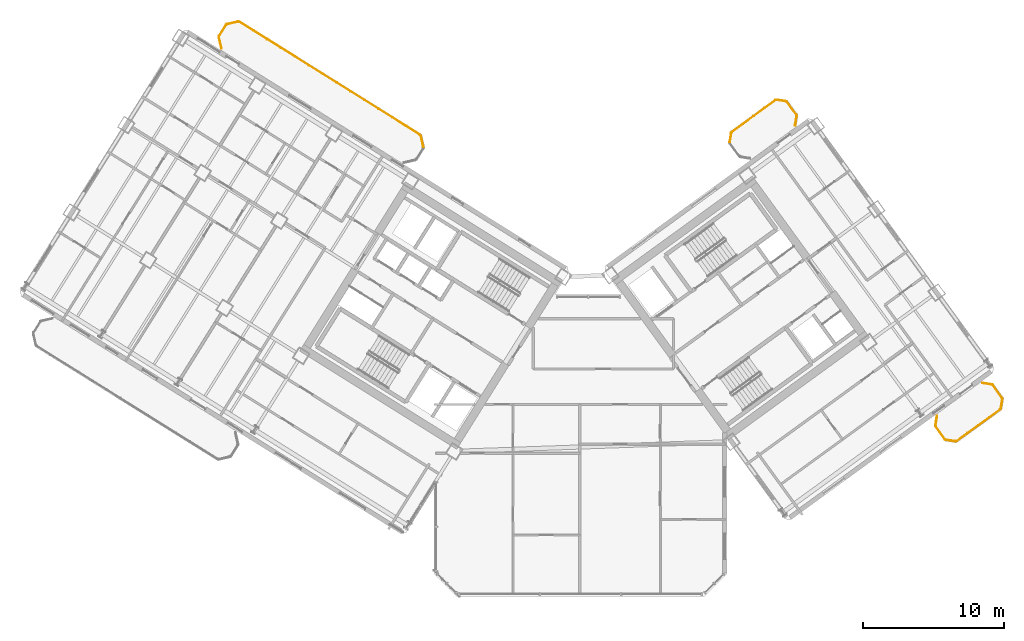
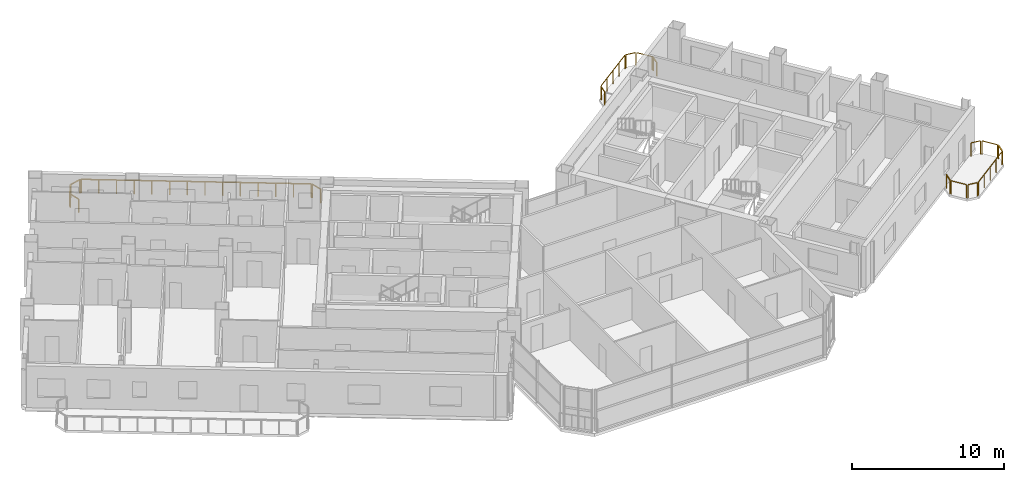
# One storey, part 25 of 25: 17 railings.
"""IFC4 building model written with IfcOpenShell, lengths in metres."""

from ifc_helpers import new_model, si_unit, direction, frame, origin, origin_2d, place, context, subcontext, project, spatial, rectangle, extrude, source, transform, mapped, material, type_object, element, save


model = new_model("IFC4")

# Units and contexts
model_context = context("Model", 3, precision=1e-05, world=origin(), true_north=direction((0.0, 1.0)))
body_context = subcontext(model_context, "Body", "Model", "MODEL_VIEW")
ifc_project = project(units=[si_unit("LENGTHUNIT", "METRE"), si_unit("AREAUNIT", "SQUARE_METRE"), si_unit("VOLUMEUNIT", "CUBIC_METRE"), si_unit("PLANEANGLEUNIT", "RADIAN"), si_unit("MASSUNIT", "GRAM", prefix="KILO")], contexts=[model_context])

# Site, building, storey
site_placement = place(None, origin())
site = spatial("IfcSite", under=ifc_project, at=site_placement, CompositionType="ELEMENT")
building_placement = place(site_placement, origin())
building = spatial("IfcBuilding", under=site, at=building_placement, Name="Tlacorven Tower", CompositionType="ELEMENT")
storey_placement = place(building_placement, frame((0.0, 0.0, 162.300048828125)))
storey = spatial("IfcBuildingStorey", under=building, at=storey_placement, Name="L41", CompositionType="ELEMENT", Elevation=162.300048828125)

# Railings
ifc_material = material(Name="Aluminium and painted steel balustrade", Category="steel")
railing_type = type_object("IfcRailingType", Name="RL-BAL-1100", PredefinedType="BALUSTRADE", material=ifc_material)
shared_shape_1 = source(origin(), body_context, "Body", "SweptSolid", [
    extrude(rectangle(XDim=0.048095703125, YDim=0.048095703125, at=origin_2d()), frame((0.0, 0.0, 1.076171875), z_axis=(0.225058334816, -0.974345290916, 0.0), x_axis=(0.974345290916, 0.225058334816, 0.0)), (0.0, 0.0, 1.0), 0.80712890625),
    extrude(rectangle(XDim=0.0419921875, YDim=0.0419921875, at=origin_2d()), origin(), (0.0, 0.0, 1.0), 1.052001953125),
    extrude(rectangle(XDim=0.0419921875, YDim=0.0419921875, at=origin_2d()), frame((0.181640625, -0.786376953125, 0.0)), (0.0, 0.0, 1.0), 1.052001953125),
])
railing_1_placement = place(storey_placement, frame((30.6796875, 34.466064453125, 0.0)))
element("IfcRailing", 1, at=railing_1_placement, inside=storey, type_object=railing_type, Name="BAL-L41-W-IN Guard Railing 1", PredefinedType="BALUSTRADE", context=body_context, shape_type="MappedRepresentation", body=[
    mapped(shared_shape_1, transform((0.0, 0.0, 0.0), scale=1.0)),
])
shared_shape_2 = source(origin(), body_context, "Body", "SweptSolid", [
    extrude(rectangle(XDim=0.048095703125, YDim=0.048095703125, at=origin_2d()), frame((0.0, 0.0, 1.076171875), z_axis=(-0.225058334816, 0.974345290916, 0.0), x_axis=(-0.974345290916, -0.225058334816, 0.0)), (0.0, 0.0, 1.0), 0.80712890625),
    extrude(rectangle(XDim=0.0419921875, YDim=0.0419921875, at=origin_2d()), origin(), (0.0, 0.0, 1.0), 1.052001953125),
    extrude(rectangle(XDim=0.0419921875, YDim=0.0419921875, at=origin_2d()), frame((-0.181640625, 0.786376953125, 0.0)), (0.0, 0.0, 1.0), 1.052001953125),
])
railing_2_placement = place(storey_placement, frame((16.5361328125, 40.68115234375, 0.0)))
element("IfcRailing", 2, at=railing_2_placement, inside=storey, type_object=railing_type, Name="BAL-L41-W-IN Guard Railing 4", PredefinedType="BALUSTRADE", context=body_context, shape_type="MappedRepresentation", body=[
    mapped(shared_shape_2, transform((0.0, 0.0, 0.0), scale=1.0)),
])
shared_shape_3 = source(origin(), body_context, "Body", "SweptSolid", [
    extrude(rectangle(XDim=0.048095703125, YDim=0.048095703125, at=origin_2d()), frame((0.0, 0.0, 1.076171875), z_axis=(0.52987865805, 0.848073468364, 0.0), x_axis=(-0.848073468364, 0.52987865805, 0.0)), (0.0, 0.0, 1.0), 0.912353515625),
    extrude(rectangle(XDim=0.0419921875, YDim=0.0419921875, at=origin_2d()), origin(), (0.0, 0.0, 1.0), 1.052001953125),
    extrude(rectangle(XDim=0.0419921875, YDim=0.0419921875, at=origin_2d()), frame((0.4833984375, 0.773681640625, 0.0)), (0.0, 0.0, 1.0), 1.052001953125),
])
railing_3_placement = place(storey_placement, frame((16.369873046875, 41.55859375, 0.0)))
element("IfcRailing", 3, at=railing_3_placement, inside=storey, type_object=railing_type, Name="BAL-L41-W-IN Guard Railing 5", PredefinedType="BALUSTRADE", context=body_context, shape_type="MappedRepresentation", body=[
    mapped(shared_shape_3, transform((0.0, 0.0, 0.0), scale=1.0)),
])
shared_shape_4 = source(origin(), body_context, "Body", "SweptSolid", [
    extrude(rectangle(XDim=0.048095703125, YDim=0.048095703125, at=origin_2d()), frame((0.0, 0.0, 1.076171875), z_axis=(0.974411586182, 0.224771129628, 0.0), x_axis=(-0.224771129628, 0.974411586182, 0.0)), (0.0, 0.0, 1.0), 0.80712890625),
    extrude(rectangle(XDim=0.0419921875, YDim=0.0419921875, at=origin_2d()), origin(), (0.0, 0.0, 1.0), 1.052001953125),
    extrude(rectangle(XDim=0.0419921875, YDim=0.0419921875, at=origin_2d()), frame((0.786376953125, 0.181396484375, 0.0)), (0.0, 0.0, 1.0), 1.052001953125),
])
railing_4_placement = place(storey_placement, frame((16.928466796875, 42.385986328125, 0.0)))
element("IfcRailing", 4, at=railing_4_placement, inside=storey, type_object=railing_type, Name="BAL-L41-W-IN Guard Railing 6", PredefinedType="BALUSTRADE", context=body_context, shape_type="MappedRepresentation", body=[
    mapped(shared_shape_4, transform((0.0, 0.0, 0.0), scale=1.0)),
])
shared_shape_5 = source(origin(), body_context, "Body", "SweptSolid", [
    extrude(rectangle(XDim=0.048095703125, YDim=0.048095703125, at=origin_2d()), frame((0.0, 0.0, 1.076171875), z_axis=(0.848044572804, -0.529924902733, 0.0), x_axis=(0.529924902733, 0.848044572804, 0.0)), (0.0, 0.0, 1.0), 15.1171875),
    extrude(rectangle(XDim=0.0419921875, YDim=0.0419921875, at=origin_2d()), origin(), (0.0, 0.0, 1.0), 1.052001953125),
    extrude(rectangle(XDim=0.0419921875, YDim=0.0419921875, at=origin_2d()), frame((0.986083984375, -0.6162109375, 0.0)), (0.0, 0.0, 1.0), 1.052001953125),
    extrude(rectangle(XDim=0.0419921875, YDim=0.0419921875, at=origin_2d()), frame((1.972412109375, -1.232421875, 0.0)), (0.0, 0.0, 1.0), 1.052001953125),
    extrude(rectangle(XDim=0.0419921875, YDim=0.0419921875, at=origin_2d()), frame((2.95849609375, -1.8486328125, 0.0)), (0.0, 0.0, 1.0), 1.052001953125),
    extrude(rectangle(XDim=0.0419921875, YDim=0.0419921875, at=origin_2d()), frame((3.944580078125, -2.46484375, 0.0)), (0.0, 0.0, 1.0), 1.052001953125),
    extrude(rectangle(XDim=0.0419921875, YDim=0.0419921875, at=origin_2d()), frame((4.930908203125, -3.0810546875, 0.0)), (0.0, 0.0, 1.0), 1.052001953125),
    extrude(rectangle(XDim=0.0419921875, YDim=0.0419921875, at=origin_2d()), frame((5.9169921875, -3.697265625, 0.0)), (0.0, 0.0, 1.0), 1.052001953125),
    extrude(rectangle(XDim=0.0419921875, YDim=0.0419921875, at=origin_2d()), frame((6.903076171875, -4.313720703125, 0.0)), (0.0, 0.0, 1.0), 1.052001953125),
    extrude(rectangle(XDim=0.0419921875, YDim=0.0419921875, at=origin_2d()), frame((7.88916015625, -4.929931640625, 0.0)), (0.0, 0.0, 1.0), 1.052001953125),
    extrude(rectangle(XDim=0.0419921875, YDim=0.0419921875, at=origin_2d()), frame((8.87548828125, -5.546142578125, 0.0)), (0.0, 0.0, 1.0), 1.052001953125),
    extrude(rectangle(XDim=0.0419921875, YDim=0.0419921875, at=origin_2d()), frame((9.861572265625, -6.162353515625, 0.0)), (0.0, 0.0, 1.0), 1.052001953125),
    extrude(rectangle(XDim=0.0419921875, YDim=0.0419921875, at=origin_2d()), frame((10.84765625, -6.778564453125, 0.0)), (0.0, 0.0, 1.0), 1.052001953125),
    extrude(rectangle(XDim=0.0419921875, YDim=0.0419921875, at=origin_2d()), frame((11.833984375, -7.394775390625, 0.0)), (0.0, 0.0, 1.0), 1.052001953125),
    extrude(rectangle(XDim=0.0419921875, YDim=0.0419921875, at=origin_2d()), frame((12.820068359375, -8.010986328125, 0.0)), (0.0, 0.0, 1.0), 1.052001953125),
])
railing_5_placement = place(storey_placement, frame((17.805908203125, 42.55224609375, 0.0)))
element("IfcRailing", 5, at=railing_5_placement, inside=storey, type_object=railing_type, Name="BAL-L41-W-IN Guard Railing 7", PredefinedType="BALUSTRADE", context=body_context, shape_type="MappedRepresentation", body=[
    mapped(shared_shape_5, transform((0.0, 0.0, 0.0), scale=1.0)),
])
shared_shape_6 = source(origin(), body_context, "Body", "SweptSolid", [
    extrude(rectangle(XDim=0.048095703125, YDim=0.048095703125, at=origin_2d()), frame((0.0, 0.0, 1.076171875), z_axis=(-0.987661653326, 0.156602868908, 0.0), x_axis=(-0.156602868908, -0.987661653326, 0.0)), (0.0, 0.0, 1.0), 0.665771484375),
    extrude(rectangle(XDim=0.0419921875, YDim=0.0419921875, at=origin_2d()), origin(), (0.0, 0.0, 1.0), 1.052001953125),
    extrude(rectangle(XDim=0.0419921875, YDim=0.0419921875, at=origin_2d()), frame((-0.657470703125, 0.104248046875, 0.0)), (0.0, 0.0, 1.0), 1.052001953125),
])
railing_6_placement = place(storey_placement, frame((68.59521484375, 12.7919921875, 0.0)))
element("IfcRailing", 6, at=railing_6_placement, inside=storey, type_object=railing_type, Name="BAL-L41-E-OUT Guard Railing 1", PredefinedType="BALUSTRADE", context=body_context, shape_type="MappedRepresentation", body=[
    mapped(shared_shape_6, transform((0.0, 0.0, 0.0), scale=1.0)),
])
shared_shape_7 = source(origin(), body_context, "Body", "SweptSolid", [
    extrude(rectangle(XDim=0.048095703125, YDim=0.048095703125, at=origin_2d()), frame((0.0, 0.0, 1.076171875), z_axis=(-0.58788449985, 0.808944877501, 0.0), x_axis=(-0.808944877501, -0.58788449985, 0.0)), (0.0, 0.0, 1.0), 1.112060546875),
    extrude(rectangle(XDim=0.0419921875, YDim=0.0419921875, at=origin_2d()), origin(), (0.0, 0.0, 1.0), 1.052001953125),
    extrude(rectangle(XDim=0.0419921875, YDim=0.0419921875, at=origin_2d()), frame((-0.65380859375, 0.899658203125, 0.0)), (0.0, 0.0, 1.0), 1.052001953125),
])
railing_7_placement = place(storey_placement, frame((67.85888671875, 12.944580078125, 0.0)))
element("IfcRailing", 7, at=railing_7_placement, inside=storey, type_object=railing_type, Name="BAL-L41-E-OUT Guard Railing 2", PredefinedType="BALUSTRADE", context=body_context, shape_type="MappedRepresentation", body=[
    mapped(shared_shape_7, transform((0.0, 0.0, 0.0), scale=1.0)),
])
shared_shape_8 = source(origin(), body_context, "Body", "SweptSolid", [
    extrude(rectangle(XDim=0.048095703125, YDim=0.048095703125, at=origin_2d()), frame((0.0, 0.0, 1.076171875), z_axis=(0.156602868908, 0.987661653326, 0.0), x_axis=(-0.987661653326, 0.156602868908, 0.0)), (0.0, 0.0, 1.0), 0.665771484375),
    extrude(rectangle(XDim=0.0419921875, YDim=0.0419921875, at=origin_2d()), origin(), (0.0, 0.0, 1.0), 1.052001953125),
    extrude(rectangle(XDim=0.0419921875, YDim=0.0419921875, at=origin_2d()), frame((0.104248046875, 0.657470703125, 0.0)), (0.0, 0.0, 1.0), 1.052001953125),
])
railing_8_placement = place(storey_placement, frame((67.18359375, 13.93408203125, 0.0)))
element("IfcRailing", 8, at=railing_8_placement, inside=storey, type_object=railing_type, Name="BAL-L41-E-OUT Guard Railing 3", PredefinedType="BALUSTRADE", context=body_context, shape_type="MappedRepresentation", body=[
    mapped(shared_shape_8, transform((0.0, 0.0, 0.0), scale=1.0)),
])
shared_shape_9 = source(origin(), body_context, "Body", "SweptSolid", [
    extrude(rectangle(XDim=0.048095703125, YDim=0.048095703125, at=origin_2d()), frame((0.0, 0.0, 1.076171875), z_axis=(0.987718317463, -0.156245081039, 0.0), x_axis=(0.156245081039, 0.987718317463, 0.0)), (0.0, 0.0, 1.0), 0.66552734375),
    extrude(rectangle(XDim=0.0419921875, YDim=0.0419921875, at=origin_2d()), origin(), (0.0, 0.0, 1.0), 1.052001953125),
    extrude(rectangle(XDim=0.0419921875, YDim=0.0419921875, at=origin_2d()), frame((0.657470703125, -0.10400390625, 0.0)), (0.0, 0.0, 1.0), 1.052001953125),
])
railing_9_placement = place(storey_placement, frame((70.513916015625, 16.935546875, 0.0)))
element("IfcRailing", 9, at=railing_9_placement, inside=storey, type_object=railing_type, Name="BAL-L41-E-OUT Guard Railing 4", PredefinedType="BALUSTRADE", context=body_context, shape_type="MappedRepresentation", body=[
    mapped(shared_shape_9, transform((0.0, 0.0, 0.0), scale=1.0)),
])
shared_shape_10 = source(origin(), body_context, "Body", "SweptSolid", [
    extrude(rectangle(XDim=0.048095703125, YDim=0.048095703125, at=origin_2d()), frame((0.0, 0.0, 1.076171875), z_axis=(0.58788449985, -0.808944877501, 0.0), x_axis=(0.808944877501, 0.58788449985, 0.0)), (0.0, 0.0, 1.0), 1.112060546875),
    extrude(rectangle(XDim=0.0419921875, YDim=0.0419921875, at=origin_2d()), origin(), (0.0, 0.0, 1.0), 1.052001953125),
    extrude(rectangle(XDim=0.0419921875, YDim=0.0419921875, at=origin_2d()), frame((0.65380859375, -0.899658203125, 0.0)), (0.0, 0.0, 1.0), 1.052001953125),
])
for number, where, name in (
    (10, (71.250244140625, 16.783203125, 0.0), "BAL-L41-E-OUT Guard Railing 5"),
    (11, (56.658447265625, 36.866943359375, 0.0), "BAL-L41-E-IN Guard Railing 6"),
):
    element("IfcRailing", number, at=place(storey_placement, frame(where)), inside=storey, type_object=railing_type, Name=name, PredefinedType="BALUSTRADE", context=body_context, shape_type="MappedRepresentation", body=[
        mapped(shared_shape_10, transform((0.0, 0.0, 0.0), scale=1.0)),
    ])
shared_shape_11 = source(origin(), body_context, "Body", "SweptSolid", [
    extrude(rectangle(XDim=0.048095703125, YDim=0.048095703125, at=origin_2d()), frame((0.0, 0.0, 1.076171875), z_axis=(-0.156188498702, -0.987727266442, 0.0), x_axis=(0.987727266442, -0.156188498702, 0.0)), (0.0, 0.0, 1.0), 0.665771484375),
    extrude(rectangle(XDim=0.0419921875, YDim=0.0419921875, at=origin_2d()), origin(), (0.0, 0.0, 1.0), 1.052001953125),
    extrude(rectangle(XDim=0.0419921875, YDim=0.0419921875, at=origin_2d()), frame((-0.10400390625, -0.65771484375, 0.0)), (0.0, 0.0, 1.0), 1.052001953125),
])
railing_10_placement = place(storey_placement, frame((71.925537109375, 15.793701171875, 0.0)))
element("IfcRailing", 12, at=railing_10_placement, inside=storey, type_object=railing_type, Name="BAL-L41-E-OUT Guard Railing 6", PredefinedType="BALUSTRADE", context=body_context, shape_type="MappedRepresentation", body=[
    mapped(shared_shape_11, transform((0.0, 0.0, 0.0), scale=1.0)),
])
shared_shape_12 = source(origin(), body_context, "Body", "SweptSolid", [
    extrude(rectangle(XDim=0.048095703125, YDim=0.048095703125, at=origin_2d()), frame((0.0, 0.0, 1.076171875), z_axis=(-0.809018102573, -0.587783726986, 0.0), x_axis=(0.587783726986, -0.809018102573, 0.0)), (0.0, 0.0, 1.0), 3.817138671875),
    extrude(rectangle(XDim=0.0419921875, YDim=0.0419921875, at=origin_2d()), origin(), (0.0, 0.0, 1.0), 1.052001953125),
    extrude(rectangle(XDim=0.0419921875, YDim=0.0419921875, at=origin_2d()), frame((-0.77197265625, -0.56103515625, 0.0)), (0.0, 0.0, 1.0), 1.052001953125),
    extrude(rectangle(XDim=0.0419921875, YDim=0.0419921875, at=origin_2d()), frame((-1.5439453125, -1.121826171875, 0.0)), (0.0, 0.0, 1.0), 1.052001953125),
    extrude(rectangle(XDim=0.0419921875, YDim=0.0419921875, at=origin_2d()), frame((-2.316162109375, -1.6826171875, 0.0)), (0.0, 0.0, 1.0), 1.052001953125),
    extrude(rectangle(XDim=0.0419921875, YDim=0.0419921875, at=origin_2d()), frame((-3.088134765625, -2.24365234375, 0.0)), (0.0, 0.0, 1.0), 1.052001953125),
])
railing_11_placement = place(storey_placement, frame((71.773193359375, 15.057373046875, 0.0)))
element("IfcRailing", 13, at=railing_11_placement, inside=storey, type_object=railing_type, Name="BAL-L41-E-OUT Guard Railing 7", PredefinedType="BALUSTRADE", context=body_context, shape_type="MappedRepresentation", body=[
    mapped(shared_shape_12, transform((0.0, 0.0, 0.0), scale=1.0)),
])
shared_shape_13 = source(origin(), body_context, "Body", "SweptSolid", [
    extrude(rectangle(XDim=0.048095703125, YDim=0.048095703125, at=origin_2d()), frame((0.0, 0.0, 1.076171875), z_axis=(0.156546163506, 0.987670642822, 0.0), x_axis=(-0.987670642822, 0.156546163506, 0.0)), (0.0, 0.0, 1.0), 0.666015625),
    extrude(rectangle(XDim=0.0419921875, YDim=0.0419921875, at=origin_2d()), origin(), (0.0, 0.0, 1.0), 1.052001953125),
    extrude(rectangle(XDim=0.0419921875, YDim=0.0419921875, at=origin_2d()), frame((0.104248046875, 0.65771484375, 0.0)), (0.0, 0.0, 1.0), 1.052001953125),
])
railing_12_placement = place(storey_placement, frame((52.591796875, 34.017822265625, 0.0)))
element("IfcRailing", 14, at=railing_12_placement, inside=storey, type_object=railing_type, Name="BAL-L41-E-IN Guard Railing 3", PredefinedType="BALUSTRADE", context=body_context, shape_type="MappedRepresentation", body=[
    mapped(shared_shape_13, transform((0.0, 0.0, 0.0), scale=1.0)),
])
shared_shape_14 = source(origin(), body_context, "Body", "SweptSolid", [
    extrude(rectangle(XDim=0.048095703125, YDim=0.048095703125, at=origin_2d()), frame((0.0, 0.0, 1.076171875), z_axis=(0.809040198054, 0.587753313843, 0.0), x_axis=(-0.587753313843, 0.809040198054, 0.0)), (0.0, 0.0, 1.0), 3.8173828125),
    extrude(rectangle(XDim=0.0419921875, YDim=0.0419921875, at=origin_2d()), origin(), (0.0, 0.0, 1.0), 1.052001953125),
    extrude(rectangle(XDim=0.0419921875, YDim=0.0419921875, at=origin_2d()), frame((0.77197265625, 0.56103515625, 0.0)), (0.0, 0.0, 1.0), 1.052001953125),
    extrude(rectangle(XDim=0.0419921875, YDim=0.0419921875, at=origin_2d()), frame((1.544189453125, 1.121826171875, 0.0)), (0.0, 0.0, 1.0), 1.052001953125),
    extrude(rectangle(XDim=0.0419921875, YDim=0.0419921875, at=origin_2d()), frame((2.31640625, 1.6826171875, 0.0)), (0.0, 0.0, 1.0), 1.052001953125),
    extrude(rectangle(XDim=0.0419921875, YDim=0.0419921875, at=origin_2d()), frame((3.08837890625, 2.24365234375, 0.0)), (0.0, 0.0, 1.0), 1.052001953125),
])
railing_13_placement = place(storey_placement, frame((52.744140625, 34.754150390625, 0.0)))
element("IfcRailing", 15, at=railing_13_placement, inside=storey, type_object=railing_type, Name="BAL-L41-E-IN Guard Railing 4", PredefinedType="BALUSTRADE", context=body_context, shape_type="MappedRepresentation", body=[
    mapped(shared_shape_14, transform((0.0, 0.0, 0.0), scale=1.0)),
])
shared_shape_15 = source(origin(), body_context, "Body", "SweptSolid", [
    extrude(rectangle(XDim=0.048095703125, YDim=0.048095703125, at=origin_2d()), frame((0.0, 0.0, 1.076171875), z_axis=(0.987670642822, -0.156546163506, 0.0), x_axis=(0.156546163506, 0.987670642822, 0.0)), (0.0, 0.0, 1.0), 0.666015625),
    extrude(rectangle(XDim=0.0419921875, YDim=0.0419921875, at=origin_2d()), origin(), (0.0, 0.0, 1.0), 1.052001953125),
    extrude(rectangle(XDim=0.0419921875, YDim=0.0419921875, at=origin_2d()), frame((0.65771484375, -0.104248046875, 0.0)), (0.0, 0.0, 1.0), 1.052001953125),
])
railing_14_placement = place(storey_placement, frame((55.922119140625, 37.01953125, 0.0)))
element("IfcRailing", 16, at=railing_14_placement, inside=storey, type_object=railing_type, Name="BAL-L41-E-IN Guard Railing 5", PredefinedType="BALUSTRADE", context=body_context, shape_type="MappedRepresentation", body=[
    mapped(shared_shape_15, transform((0.0, 0.0, 0.0), scale=1.0)),
])
shared_shape_16 = source(origin(), body_context, "Body", "SweptSolid", [
    extrude(rectangle(XDim=0.048095703125, YDim=0.048095703125, at=origin_2d()), frame((0.0, 0.0, 1.076171875), z_axis=(-0.156245081039, -0.987718317463, 0.0), x_axis=(0.987718317463, -0.156245081039, 0.0)), (0.0, 0.0, 1.0), 0.66552734375),
    extrude(rectangle(XDim=0.0419921875, YDim=0.0419921875, at=origin_2d()), origin(), (0.0, 0.0, 1.0), 1.052001953125),
    extrude(rectangle(XDim=0.0419921875, YDim=0.0419921875, at=origin_2d()), frame((-0.10400390625, -0.657470703125, 0.0)), (0.0, 0.0, 1.0), 1.052001953125),
])
railing_15_placement = place(storey_placement, frame((57.333740234375, 35.87744140625, 0.0)))
element("IfcRailing", 17, at=railing_15_placement, inside=storey, type_object=railing_type, Name="BAL-L41-E-IN Guard Railing 7", PredefinedType="BALUSTRADE", context=body_context, shape_type="MappedRepresentation", body=[
    mapped(shared_shape_16, transform((0.0, 0.0, 0.0), scale=1.0)),
])

save(model, "model.ifc")
